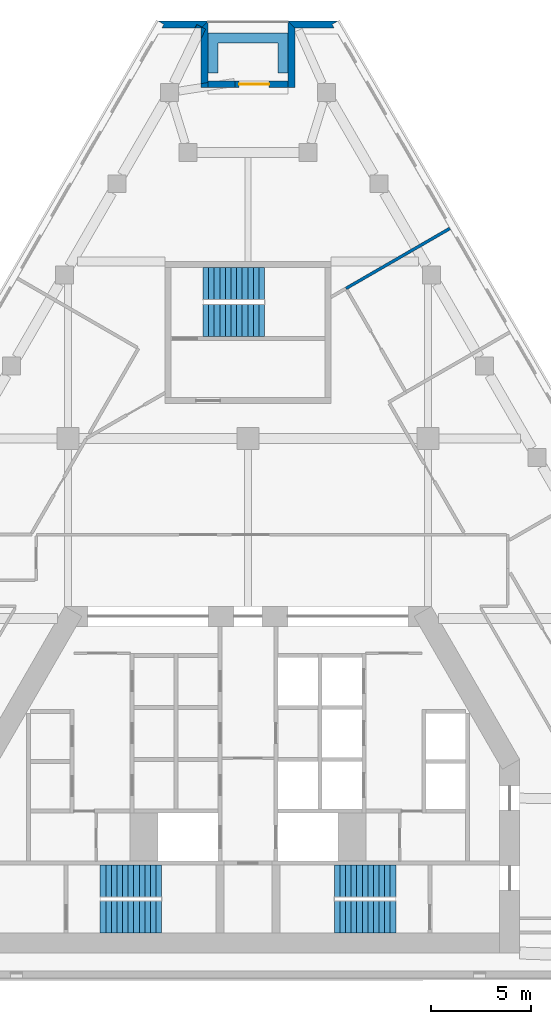
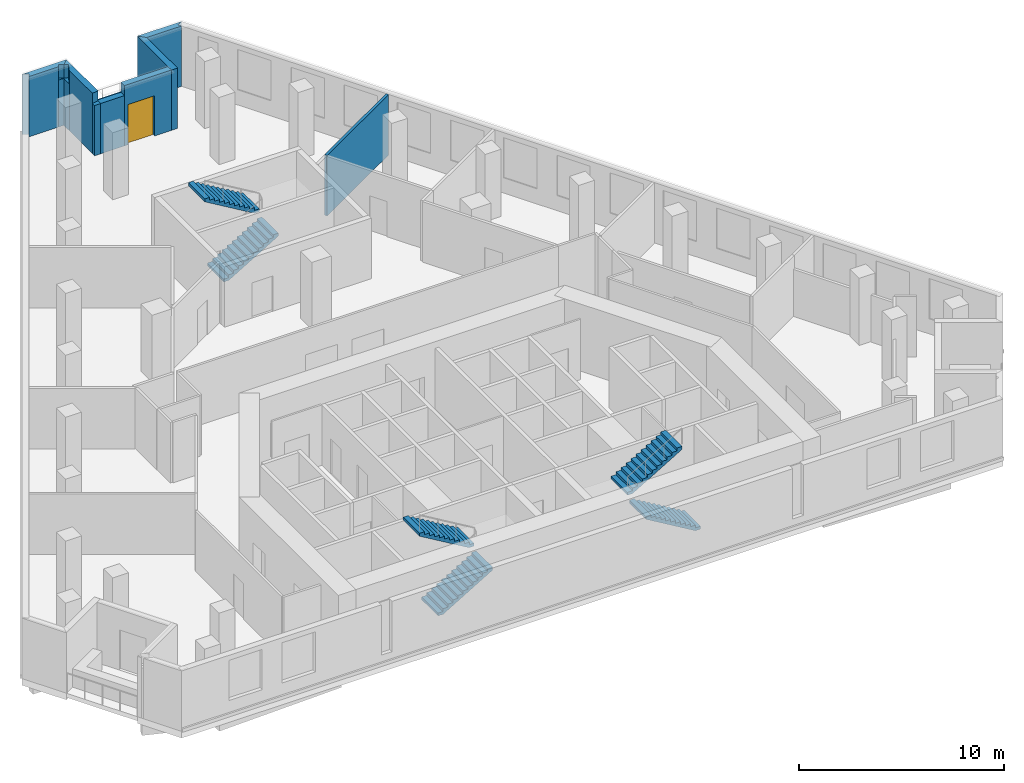
# One storey, part 8 of 9: 11 walls, 6 stair flights, 1 door, 1 opening, 3 elements without a shape of their own.
"""IFC4 building model written with IfcOpenShell, lengths in metres."""

from ifc_helpers import new_model, si_unit, direction, frame, frame_2d, origin, place, context, subcontext, project, spatial, polyline, rectangle, outline, extrude, material, layer, layer_set, type_object, element, fill, aggregate, save


model = new_model("IFC4")

# Units and contexts
model_context = context("Model", 3, precision=1e-05, world=origin(), true_north=direction((0.0, 1.0)))
body_context = subcontext(model_context, "Body", "Model", "MODEL_VIEW")
ifc_project = project(units=[si_unit("LENGTHUNIT", "METRE"), si_unit("AREAUNIT", "SQUARE_METRE"), si_unit("VOLUMEUNIT", "CUBIC_METRE"), si_unit("PLANEANGLEUNIT", "RADIAN"), si_unit("MASSUNIT", "GRAM", prefix="KILO")], contexts=[model_context])

# Site, building, storey
site_placement = place(None, origin())
site = spatial("IfcSite", under=ifc_project, at=site_placement, CompositionType="ELEMENT")
building_placement = place(site_placement, origin())
building = spatial("IfcBuilding", under=site, at=building_placement, Name="Fogline Exchange Tower", CompositionType="ELEMENT")
storey_placement = place(building_placement, frame((0.0, 0.0, 202.10009765625)))
storey = spatial("IfcBuildingStorey", under=building, at=storey_placement, Name="L45", CompositionType="ELEMENT", Elevation=202.10009765625)

# Walls
ifc_material_1 = material(Name="Brick masonry", Category="masonry")
ifc_layer_1 = layer(ifc_material_1, 0.340087890625)
ifc_layer_set_1 = layer_set([ifc_layer_1], Name="FW1")
wall_type_1 = type_object("IfcWallType", Name="FW1", PredefinedType="SOLIDWALL", material=ifc_layer_set_1)
wall_1_placement = place(storey_placement, origin())
element("IfcWall", 1, at=wall_1_placement, inside=storey, type_object=wall_type_1, Name="Brick wall L45 N-c1", PredefinedType="SOLIDWALL", context=body_context, shape_type="SweptSolid", body=[
    extrude(outline(polyline([(1.9990234375, 47.9072265625), (4.5009765625, 47.9072265625), (4.501220703125, 47.90673828125), (4.206298828125, 47.736328125), (4.3046875, 47.566162109375), (2.33984375, 47.566162109375), (1.998779296875, 47.906982421875), (1.9990234375, 47.9072265625)])), origin(), (0.0, 0.0, 1.0), 3.599853515625),
])
wall_2_placement = place(storey_placement, origin())
element("IfcWall", 2, at=wall_2_placement, inside=storey, type_object=wall_type_1, Name="Brick wall L45 N-s1", PredefinedType="SOLIDWALL", context=body_context, shape_type="SweptSolid", body=[
    extrude(outline(polyline([(2.340576171875, 44.566162109375), (1.99951171875, 44.566162109375), (1.99951171875, 47.90771484375), (1.999755859375, 47.90771484375), (2.340576171875, 47.56689453125), (2.340576171875, 44.566162109375)])), origin(), (0.0, 0.0, 1.0), 3.599853515625),
])

# Wall, opening, door
wall_3_placement = place(storey_placement, frame((2.0, 44.736572265625, 0.0), z_axis=(0.0, 0.0, 1.0), x_axis=(-1.0, 0.0, 0.0)))
wall_3 = element("IfcWall", 3, at=wall_3_placement, inside=storey, type_object=wall_type_1, Name="Brick wall L45 N-bk", PredefinedType="SOLIDWALL", context=body_context, shape_type="SweptSolid", body=[
    extrude(rectangle(XDim=2.64892578125, YDim=0.340087890625, at=frame_2d((1.324462890625, 0.0))), origin(), (0.0, 0.0, 1.0), 3.599853515625),
])
opening_placement = place(wall_3_placement, frame((0.948974609375, 0.0, 0.0)))
opening = element("IfcOpeningElement", 4, at=opening_placement, cuts=wall_3, Name="Opening T14-E141", PredefinedType="OPENING", context=body_context, shape_type="SweptSolid", body=[
    extrude(rectangle(XDim=1.5, YDim=2.39990234375, at=frame_2d((0.75, 1.199951171875))), frame((0.0, 0.18017578125, 0.0), z_axis=(0.0, -1.0, 0.0), x_axis=(1.0, 0.0, 0.0)), (0.0, 0.0, 1.0), 0.360107421875),
])
ifc_material_2 = material(Name="Aluminium and glass", Category="aluminium")
door_type = type_object("IfcDoorType", Name="ED4", OperationType="SINGLE_SWING_LEFT", PredefinedType="DOOR", material=ifc_material_2)
door_placement = place(opening_placement, frame((1.5, 0.0, 0.0), z_axis=(0.0, 0.0, 1.0), x_axis=(-1.0, 0.0, 0.0)))
door = element("IfcDoor", 5, at=door_placement, inside=storey, type_object=door_type, Name="Balcony door L45 N", OperationType="DOUBLE_DOOR_SINGLE_SWING", OverallHeight=2.39990234375, OverallWidth=1.5, PredefinedType="DOOR", context=body_context, shape_type="SweptSolid", body=[
    extrude(rectangle(XDim=1.5, YDim=2.39990234375, at=frame_2d((0.75, 1.199951171875))), frame((0.0, 0.02490234375, 0.0), z_axis=(0.0, -1.0, 0.0), x_axis=(1.0, 0.0, 0.0)), (0.0, 0.0, 1.0), 0.050048828125),
])
fill(opening, door)

# Walls
wall_4_placement = place(storey_placement, frame((-0.64892578125, 44.736572265625, 0.0), z_axis=(0.0, 0.0, 1.0), x_axis=(-1.0, 0.0, 0.0)))
element("IfcWall", 6, at=wall_4_placement, inside=storey, type_object=wall_type_1, Name="Brick wall L45 N-bk", PredefinedType="SOLIDWALL", context=body_context, shape_type="SweptSolid", body=[
    extrude(rectangle(XDim=1.35107421875, YDim=0.340087890625, at=frame_2d((0.675537109375, 0.0))), origin(), (0.0, 0.0, 1.0), 3.0),
])
wall_5_placement = place(storey_placement, origin())
element("IfcWall", 7, at=wall_5_placement, inside=storey, type_object=wall_type_1, Name="Brick wall L45 N-s2", PredefinedType="SOLIDWALL", context=body_context, shape_type="SweptSolid", body=[
    extrude(outline(polyline([(-2.340576171875, 47.56689453125), (-2.31005859375, 47.597412109375), (-2.11474609375, 47.503173828125), (-2.340576171875, 47.03466796875), (-2.340576171875, 47.56689453125)])), origin(), (0.0, 0.0, 1.0), 2.7998046875),
])
wall_6_placement = place(storey_placement, origin())
element("IfcWall", 8, at=wall_6_placement, inside=storey, type_object=wall_type_1, Name="Brick wall L45 N-s2", PredefinedType="SOLIDWALL", context=body_context, shape_type="SweptSolid", body=[
    extrude(outline(polyline([(-2.340576171875, 44.566162109375), (-2.340576171875, 44.774658203125), (-1.99951171875, 44.82763671875), (-1.99951171875, 44.566162109375), (-2.340576171875, 44.566162109375)])), origin(), (0.0, 0.0, 1.0), 3.0),
])
wall_7_placement = place(storey_placement, origin())
element("IfcWall", 9, at=wall_7_placement, inside=storey, type_object=wall_type_1, Name="Brick wall L45 N-s2", PredefinedType="SOLIDWALL", context=body_context, shape_type="SweptSolid", body=[
    extrude(outline(polyline([(-2.340576171875, 47.03466796875), (-2.11474609375, 47.503173828125), (-2.31005859375, 47.597412109375), (-1.999755859375, 47.90771484375), (-1.99951171875, 47.90771484375), (-1.99951171875, 44.82763671875), (-2.340576171875, 44.774658203125), (-2.340576171875, 47.03466796875)])), origin(), (0.0, 0.0, 1.0), 3.599853515625),
])
wall_8_placement = place(storey_placement, origin())
element("IfcWall", 10, at=wall_8_placement, inside=storey, type_object=wall_type_1, Name="Brick wall L45 N-c2", PredefinedType="SOLIDWALL", context=body_context, shape_type="SweptSolid", body=[
    extrude(outline(polyline([(-2.33984375, 47.566162109375), (-2.6396484375, 47.566162109375), (-2.565185546875, 47.72021484375), (-2.30908203125, 47.596923828125), (-2.33984375, 47.566162109375)])), origin(), (0.0, 0.0, 1.0), 2.7998046875),
])
wall_9_placement = place(storey_placement, origin())
element("IfcWall", 11, at=wall_9_placement, inside=storey, type_object=wall_type_1, Name="Brick wall L45 N-c2", PredefinedType="SOLIDWALL", context=body_context, shape_type="SweptSolid", body=[
    extrude(outline(polyline([(-4.206298828125, 47.736328125), (-4.501220703125, 47.90673828125), (-4.5009765625, 47.9072265625), (-1.9990234375, 47.9072265625), (-1.998779296875, 47.906982421875), (-2.30908203125, 47.596923828125), (-2.565185546875, 47.72021484375), (-2.6396484375, 47.566162109375), (-4.3046875, 47.566162109375), (-4.206298828125, 47.736328125)])), origin(), (0.0, 0.0, 1.0), 3.599853515625),
])
ifc_material_3 = material(Name="Concrete C30", Category="concrete")
ifc_layer_2 = layer(ifc_material_3, 0.199951171875)
ifc_layer_set_2 = layer_set([ifc_layer_2], Name="PL1")
wall_type_2 = type_object("IfcWallType", Name="PL1", PredefinedType="USERDEFINED", material=ifc_layer_set_2)
wall_10_placement = place(storey_placement, origin())
element("IfcWall", 12, at=wall_10_placement, inside=storey, type_object=wall_type_2, Name="PLANTER balcony L45 N", ObjectType="PLANTER", PredefinedType="USERDEFINED", context=body_context, shape_type="SweptSolid", body=[
    extrude(outline(polyline([(-1.5, 47.306640625), (-2.0, 47.306640625), (-2.0, 46.806640625), (-2.0, 45.306640625), (-1.5, 45.306640625), (-1.5, 46.806640625), (1.5, 46.806640625), (1.5, 45.306640625), (2.0, 45.306640625), (2.0, 46.806640625), (2.0, 47.306640625), (1.5, 47.306640625), (-1.5, 47.306640625)])), origin(), (0.0, 0.0, 1.0), 1.099853515625),
])
ifc_material_4 = material(Name="Plasterboard demising partition with mineral wool and acoustic board")
ifc_layer_3 = layer(ifc_material_4, 0.14990234375)
ifc_layer_set_3 = layer_set([ifc_layer_3], Name="PW3")
wall_type_3 = type_object("IfcWallType", Name="PW3", PredefinedType="PARTITIONING", material=ifc_layer_set_3)
wall_11_placement = place(storey_placement, frame((4.9072265625, 34.52099609375, 0.0), z_axis=(0.0, 0.0, 1.0), x_axis=(0.866031096941, 0.499990139034, 0.0)))
element("IfcWall", 13, at=wall_11_placement, inside=storey, type_object=wall_type_3, Name="wall-L45-W026", PredefinedType="PARTITIONING", context=body_context, shape_type="SweptSolid", body=[
    extrude(rectangle(XDim=6.0, YDim=0.14990234375, at=frame_2d((3.0, 0.0))), origin(), (0.0, 0.0, 1.0), 3.599853515625),
])

# Stair, stair flights
ifc_material_5 = material(Name="Concrete C40", Category="concrete")
stair_type = type_object("IfcStairType", Name="STR24-1667", PredefinedType="HALF_TURN_STAIR", material=ifc_material_5)
stair_1_placement = place(storey_placement, origin())
stair_1 = element("IfcStair", 14, at=stair_1_placement, inside=storey, type_object=stair_type, Name="Stair ST1", PredefinedType="HALF_TURN_STAIR")
stair_flight_type = type_object("IfcStairFlightType", Name="SF12-1667", PredefinedType="STRAIGHT", material=ifc_material_5)
stair_flight_1_placement = place(storey_placement, frame((-7.39990234375, 3.050048828125, 0.0), z_axis=(0.0, 0.0, 1.0), x_axis=(1.0, 0.0, 0.0)))
stair_flight_1 = element("IfcStairFlight", 15, at=stair_flight_1_placement, type_object=stair_flight_type, Name="ST1 flight 1", NumberOfRisers=12, NumberOfTreads=11, PredefinedType="STRAIGHT", RiserHeight=0.166666667, TreadLength=0.28, context=body_context, shape_type="SweptSolid", body=[
    extrude(outline(polyline([(0.0, 0.0), (0.0, 0.166748046875), (0.280029296875, 0.166748046875), (0.280029296875, 0.333251953125), (0.56005859375, 0.333251953125), (0.56005859375, 0.5), (0.840087890625, 0.5), (0.840087890625, 0.666748046875), (1.1201171875, 0.666748046875), (1.1201171875, 0.833251953125), (1.39990234375, 0.833251953125), (1.39990234375, 1.0), (1.679931640625, 1.0), (1.679931640625, 1.166748046875), (1.9599609375, 1.166748046875), (1.9599609375, 1.333251953125), (2.239990234375, 1.333251953125), (2.239990234375, 1.5), (2.52001953125, 1.5), (2.52001953125, 1.666748046875), (2.800048828125, 1.666748046875), (2.800048828125, 1.833251953125), (3.080078125, 1.833251953125), (3.080078125, 2.0), (3.080078125, 1.658935546875), (0.29296875, 0.0), (0.0, 0.0)])), frame((0.0, 0.800048828125, 0.0), z_axis=(0.0, -1.0, 0.0), x_axis=(1.0, 0.0, 0.0)), (0.0, 0.0, 1.0), 1.60009765625),
])
stair_flight_2_placement = place(storey_placement, frame((-4.320068359375, 4.85009765625, 2.0), z_axis=(0.0, 0.0, 1.0), x_axis=(-1.0, 0.0, 0.0)))
stair_flight_2 = element("IfcStairFlight", 16, at=stair_flight_2_placement, type_object=stair_flight_type, Name="ST1 flight 2", NumberOfRisers=12, NumberOfTreads=11, PredefinedType="STRAIGHT", RiserHeight=0.166666667, TreadLength=0.28, context=body_context, shape_type="SweptSolid", body=[
    extrude(outline(polyline([(0.0, 0.0), (0.0, 0.166748046875), (0.280029296875, 0.166748046875), (0.280029296875, 0.333251953125), (0.56005859375, 0.333251953125), (0.56005859375, 0.5), (0.840087890625, 0.5), (0.840087890625, 0.666748046875), (1.1201171875, 0.666748046875), (1.1201171875, 0.833251953125), (1.39990234375, 0.833251953125), (1.39990234375, 1.0), (1.679931640625, 1.0), (1.679931640625, 1.166748046875), (1.9599609375, 1.166748046875), (1.9599609375, 1.333251953125), (2.239990234375, 1.333251953125), (2.239990234375, 1.5), (2.52001953125, 1.5), (2.52001953125, 1.666748046875), (2.800048828125, 1.666748046875), (2.800048828125, 1.833251953125), (3.080078125, 1.833251953125), (3.080078125, 2.0), (3.080078125, 1.658935546875), (0.29296875, 0.0), (0.0, 0.0)])), frame((0.0, 0.800048828125, 0.0), z_axis=(0.0, -1.0, 0.0), x_axis=(1.0, 0.0, 0.0)), (0.0, 0.0, 1.0), 1.60009765625),
])
aggregate(stair_1, [stair_flight_1, stair_flight_2])

stair_2_placement = place(storey_placement, origin())
stair_2 = element("IfcStair", 17, at=stair_2_placement, inside=storey, type_object=stair_type, Name="Stair ST2", PredefinedType="HALF_TURN_STAIR")
stair_flight_3_placement = place(storey_placement, frame((7.39990234375, 3.050048828125, 0.0), z_axis=(0.0, 0.0, 1.0), x_axis=(-1.0, 0.0, 0.0)))
stair_flight_3 = element("IfcStairFlight", 18, at=stair_flight_3_placement, type_object=stair_flight_type, Name="ST2 flight 1", NumberOfRisers=12, NumberOfTreads=11, PredefinedType="STRAIGHT", RiserHeight=0.166666667, TreadLength=0.28, context=body_context, shape_type="SweptSolid", body=[
    extrude(outline(polyline([(0.0, 0.0), (0.0, 0.166748046875), (0.280029296875, 0.166748046875), (0.280029296875, 0.333251953125), (0.56005859375, 0.333251953125), (0.56005859375, 0.5), (0.840087890625, 0.5), (0.840087890625, 0.666748046875), (1.1201171875, 0.666748046875), (1.1201171875, 0.833251953125), (1.39990234375, 0.833251953125), (1.39990234375, 1.0), (1.679931640625, 1.0), (1.679931640625, 1.166748046875), (1.9599609375, 1.166748046875), (1.9599609375, 1.333251953125), (2.239990234375, 1.333251953125), (2.239990234375, 1.5), (2.52001953125, 1.5), (2.52001953125, 1.666748046875), (2.800048828125, 1.666748046875), (2.800048828125, 1.833251953125), (3.080078125, 1.833251953125), (3.080078125, 2.0), (3.080078125, 1.658935546875), (0.29296875, 0.0), (0.0, 0.0)])), frame((0.0, 0.800048828125, 0.0), z_axis=(0.0, -1.0, 0.0), x_axis=(1.0, 0.0, 0.0)), (0.0, 0.0, 1.0), 1.60009765625),
])
stair_flight_4_placement = place(storey_placement, frame((4.320068359375, 4.85009765625, 2.0), z_axis=(0.0, 0.0, 1.0), x_axis=(1.0, 0.0, 0.0)))
stair_flight_4 = element("IfcStairFlight", 19, at=stair_flight_4_placement, type_object=stair_flight_type, Name="ST2 flight 2", NumberOfRisers=12, NumberOfTreads=11, PredefinedType="STRAIGHT", RiserHeight=0.166666667, TreadLength=0.28, context=body_context, shape_type="SweptSolid", body=[
    extrude(outline(polyline([(0.0, 0.0), (0.0, 0.166748046875), (0.280029296875, 0.166748046875), (0.280029296875, 0.333251953125), (0.56005859375, 0.333251953125), (0.56005859375, 0.5), (0.840087890625, 0.5), (0.840087890625, 0.666748046875), (1.1201171875, 0.666748046875), (1.1201171875, 0.833251953125), (1.39990234375, 0.833251953125), (1.39990234375, 1.0), (1.679931640625, 1.0), (1.679931640625, 1.166748046875), (1.9599609375, 1.166748046875), (1.9599609375, 1.333251953125), (2.239990234375, 1.333251953125), (2.239990234375, 1.5), (2.52001953125, 1.5), (2.52001953125, 1.666748046875), (2.800048828125, 1.666748046875), (2.800048828125, 1.833251953125), (3.080078125, 1.833251953125), (3.080078125, 2.0), (3.080078125, 1.658935546875), (0.29296875, 0.0), (0.0, 0.0)])), frame((0.0, 0.800048828125, 0.0), z_axis=(0.0, -1.0, 0.0), x_axis=(1.0, 0.0, 0.0)), (0.0, 0.0, 1.0), 1.60009765625),
])
aggregate(stair_2, [stair_flight_3, stair_flight_4])

stair_3_placement = place(storey_placement, origin())
stair_3 = element("IfcStair", 20, at=stair_3_placement, inside=storey, type_object=stair_type, Name="Stair ST3", PredefinedType="HALF_TURN_STAIR")
stair_flight_5_placement = place(storey_placement, frame((-2.25, 32.906982421875, 0.0), z_axis=(0.0, 0.0, 1.0), x_axis=(1.0, 0.0, 0.0)))
stair_flight_5 = element("IfcStairFlight", 21, at=stair_flight_5_placement, type_object=stair_flight_type, Name="ST3 flight 1", NumberOfRisers=12, NumberOfTreads=11, PredefinedType="STRAIGHT", RiserHeight=0.166666667, TreadLength=0.28, context=body_context, shape_type="SweptSolid", body=[
    extrude(outline(polyline([(0.0, 0.0), (0.0, 0.166748046875), (0.280029296875, 0.166748046875), (0.280029296875, 0.333251953125), (0.56005859375, 0.333251953125), (0.56005859375, 0.5), (0.840087890625, 0.5), (0.840087890625, 0.666748046875), (1.1201171875, 0.666748046875), (1.1201171875, 0.833251953125), (1.39990234375, 0.833251953125), (1.39990234375, 1.0), (1.679931640625, 1.0), (1.679931640625, 1.166748046875), (1.9599609375, 1.166748046875), (1.9599609375, 1.333251953125), (2.239990234375, 1.333251953125), (2.239990234375, 1.5), (2.52001953125, 1.5), (2.52001953125, 1.666748046875), (2.800048828125, 1.666748046875), (2.800048828125, 1.833251953125), (3.080078125, 1.833251953125), (3.080078125, 2.0), (3.080078125, 1.658935546875), (0.29296875, 0.0), (0.0, 0.0)])), frame((0.0, 0.800048828125, 0.0), z_axis=(0.0, -1.0, 0.0), x_axis=(1.0, 0.0, 0.0)), (0.0, 0.0, 1.0), 1.60009765625),
])
stair_flight_6_placement = place(storey_placement, frame((0.830078125, 34.757080078125, 2.0), z_axis=(0.0, 0.0, 1.0), x_axis=(-1.0, 0.0, 0.0)))
stair_flight_6 = element("IfcStairFlight", 22, at=stair_flight_6_placement, type_object=stair_flight_type, Name="ST3 flight 2", NumberOfRisers=12, NumberOfTreads=11, PredefinedType="STRAIGHT", RiserHeight=0.166666667, TreadLength=0.28, context=body_context, shape_type="SweptSolid", body=[
    extrude(outline(polyline([(0.0, 0.0), (0.0, 0.166748046875), (0.280029296875, 0.166748046875), (0.280029296875, 0.333251953125), (0.56005859375, 0.333251953125), (0.56005859375, 0.5), (0.840087890625, 0.5), (0.840087890625, 0.666748046875), (1.1201171875, 0.666748046875), (1.1201171875, 0.833251953125), (1.39990234375, 0.833251953125), (1.39990234375, 1.0), (1.679931640625, 1.0), (1.679931640625, 1.166748046875), (1.9599609375, 1.166748046875), (1.9599609375, 1.333251953125), (2.239990234375, 1.333251953125), (2.239990234375, 1.5), (2.52001953125, 1.5), (2.52001953125, 1.666748046875), (2.800048828125, 1.666748046875), (2.800048828125, 1.833251953125), (3.080078125, 1.833251953125), (3.080078125, 2.0), (3.080078125, 1.658935546875), (0.29296875, 0.0), (0.0, 0.0)])), frame((0.0, 0.800048828125, 0.0), z_axis=(0.0, -1.0, 0.0), x_axis=(1.0, 0.0, 0.0)), (0.0, 0.0, 1.0), 1.60009765625),
])
aggregate(stair_3, [stair_flight_5, stair_flight_6])

save(model, "model.ifc")
